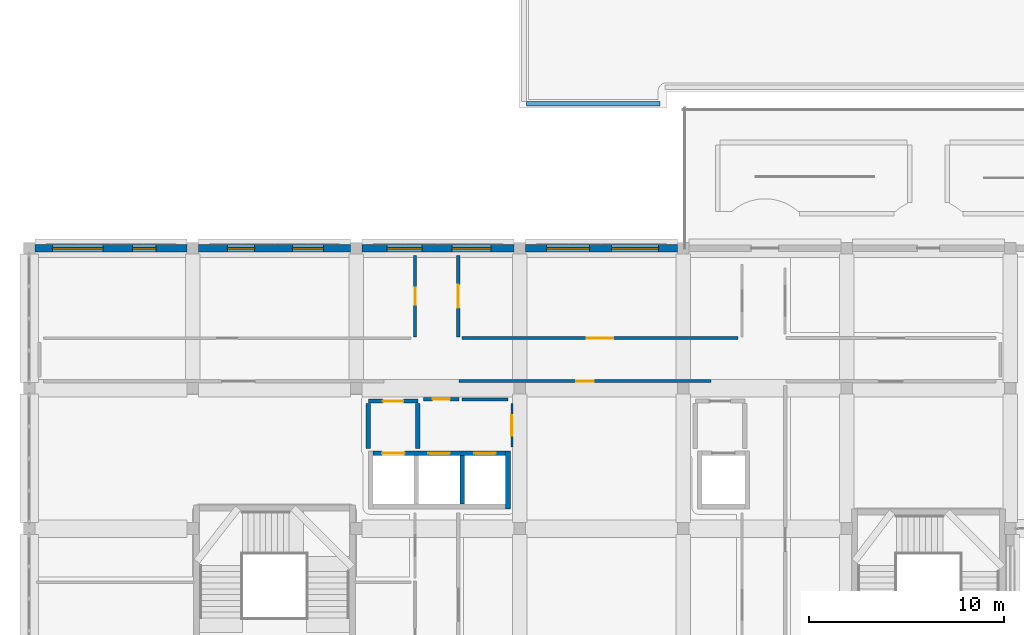
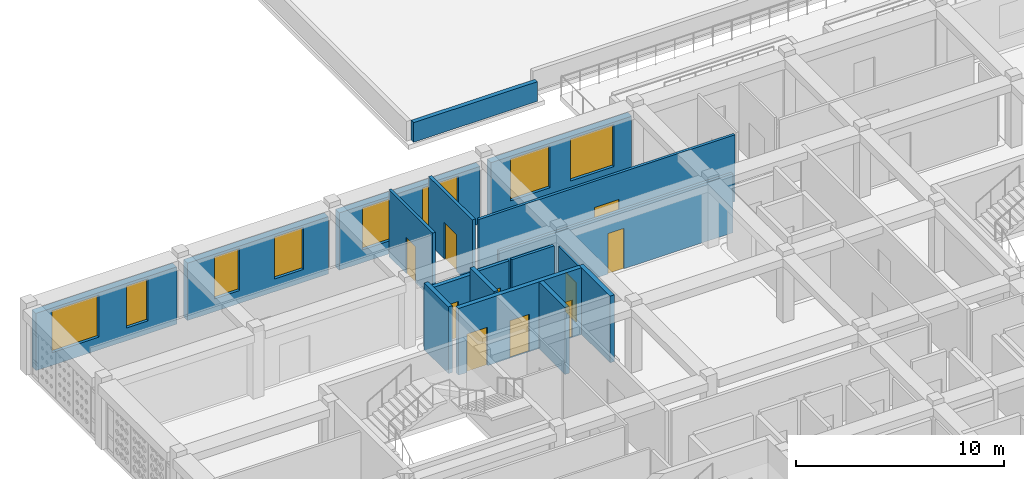
# One storey, part 31 of 48: 18 walls, 10 doors, 8 windows, 18 openings.
"""IFC4 building model written with IfcOpenShell, lengths in metres."""

import ifcopenshell
import ifcopenshell.guid

model = None  # the IFC model being written
_history = None  # IfcOwnerHistory: only IFC2X3 demands one
_inside = {}  # id of a spatial element -> (the spatial element, [elements in it])
_under = {}  # id of a project, library or spatial element -> (it, [spatial elements below it])
_declared = {}  # id of a project -> (the project, [libraries it declares])
_typed = {}  # id of a type object -> (the type object, [elements of that type])
_made_of = {}  # id of a material, layer set ... -> (it, [elements and type objects made of it])


def new_model(schema):
    """Start an empty IFC model of exactly this schema.

    Asked for "IFC4X3", IfcOpenShell would pick the latest addendum, in which some entities
    have other attributes; the version numbers below select the first issue.
    IFC2X3 requires an IfcOwnerHistory on every rooted entity: one is made here for all.
    """
    global model, _history
    if schema == "IFC4X3":
        model = ifcopenshell.file(schema_version=(4, 3, 0, 0))
    else:
        model = ifcopenshell.file(schema=schema)
    _inside.clear()
    _under.clear()
    _declared.clear()
    _typed.clear()
    _made_of.clear()
    _history = None
    if model.schema == "IFC2X3":
        org = make("IfcOrganization", Name="unknown")
        user = make(
            "IfcPersonAndOrganization",
            ThePerson=make("IfcPerson", FamilyName="unknown"),
            TheOrganization=org,
        )
        app = make(
            "IfcApplication",
            ApplicationDeveloper=org,
            Version="unknown",
            ApplicationFullName="unknown",
            ApplicationIdentifier="unknown",
        )
        _history = make(
            "IfcOwnerHistory",
            OwningUser=user,
            OwningApplication=app,
            ChangeAction="ADDED",
            CreationDate=0,
        )
    return model


def make(cls, **values):
    """One entity of the class cls with the attributes given. An attribute that is None is left unset."""
    return model.create_entity(
        cls, **{name: value for name, value in values.items() if value is not None}
    )


def rooted(cls, **values):
    """An entity with a GlobalId (a new one), such as an element, a storey or a relation."""
    return make(cls, GlobalId=ifcopenshell.guid.new(), OwnerHistory=_history, **values)


def si_unit(unit_type, name, prefix=None):
    """IfcSIUnit, for example si_unit("LENGTHUNIT", "METRE", prefix="MILLI")."""
    return make("IfcSIUnit", UnitType=unit_type, Prefix=prefix, Name=name)


def derived_unit(unit_type, elements):
    """IfcDerivedUnit: a product of units, each with its exponent."""
    return make(
        "IfcDerivedUnit",
        Elements=[
            make("IfcDerivedUnitElement", Unit=unit, Exponent=power)
            for unit, power in elements
        ],
        UnitType=unit_type,
    )


def assignment(units):
    """IfcUnitAssignment: the units of a project."""
    return None if units is None else make("IfcUnitAssignment", Units=units)


def point(xyz):
    """IfcCartesianPoint."""
    return None if xyz is None else make("IfcCartesianPoint", Coordinates=xyz)


def direction(xyz):
    """IfcDirection."""
    return None if xyz is None else make("IfcDirection", DirectionRatios=xyz)


def frame(location, z_axis=None, x_axis=None):
    """IfcAxis2Placement3D, a coordinate frame: its origin and axes. An axis left out is left unset."""
    return make(
        "IfcAxis2Placement3D",
        Location=point(location),
        Axis=direction(z_axis),
        RefDirection=direction(x_axis),
    )


def frame_2d(location, x_axis=None):
    """IfcAxis2Placement2D, a coordinate frame in the plane: its origin and x axis."""
    return make(
        "IfcAxis2Placement2D", Location=point(location), RefDirection=direction(x_axis)
    )


def origin():
    """The frame at (0, 0, 0) with its axes left unset."""
    return frame((0.0, 0.0, 0.0))


def place(relative_to, where):
    """IfcLocalPlacement: puts the frame where relative to a parent placement (None: the world)."""
    return make(
        "IfcLocalPlacement", PlacementRelTo=relative_to, RelativePlacement=where
    )


def context(
    kind, dimensions, precision=None, world=None, true_north=None, identifier=None
):
    """IfcGeometricRepresentationContext, for example the 3D "Model" context."""
    return make(
        "IfcGeometricRepresentationContext",
        ContextIdentifier=identifier,
        ContextType=kind,
        CoordinateSpaceDimension=dimensions,
        Precision=precision,
        WorldCoordinateSystem=world,
        TrueNorth=true_north,
    )


def subcontext(parent, identifier, kind, view, scale=None):
    """IfcGeometricRepresentationSubContext, for example "Body" below "Model"."""
    return make(
        "IfcGeometricRepresentationSubContext",
        ContextIdentifier=identifier,
        ContextType=kind,
        ParentContext=parent,
        TargetScale=scale,
        TargetView=view,
    )


def project(units=None, contexts=None):
    """IfcProject with its units and contexts."""
    return rooted(
        "IfcProject",
        Name="project",
        RepresentationContexts=contexts,
        UnitsInContext=assignment(units),
    )


def spatial(cls, under=None, at=None, **own):
    """A site, building, storey or space (cls), placed at a placement, below another one or the project."""
    s = rooted(cls, ObjectPlacement=at, **own)
    if under is not None:
        _under.setdefault(under.id(), (under, []))[1].append(s)
    return s


def profile(cls, at=None, kind="AREA", **sizes):
    """A parametric profile (cls). Its sizes go by their IFC names, for example OverallWidth=200.0."""
    return make(cls, ProfileType=kind, Position=at, **sizes)


def rectangle(**sizes):
    """IfcRectangleProfileDef."""
    return profile("IfcRectangleProfileDef", **sizes)


def extrude(swept, where, along, depth):
    """IfcExtrudedAreaSolid: the profile swept, set in the frame where, extruded along a direction by depth."""
    return make(
        "IfcExtrudedAreaSolid",
        SweptArea=swept,
        Position=where,
        ExtrudedDirection=direction(along),
        Depth=depth,
    )


def shape(context_of_items, identifier, shape_type, items):
    """IfcShapeRepresentation: the items that make up one representation, for example the "Body"."""
    return make(
        "IfcShapeRepresentation",
        ContextOfItems=context_of_items,
        RepresentationIdentifier=identifier,
        RepresentationType=shape_type,
        Items=items,
    )


def material(Name=None, Category=None):
    """IfcMaterial."""
    return make("IfcMaterial", Name=Name, Category=Category)


def layer(
    of_material, thickness, ventilated=None, Name=None, Category=None, Priority=None
):
    """IfcMaterialLayer: one layer of a wall or slab, of a material (None: an air gap)."""
    return make(
        "IfcMaterialLayer",
        Material=of_material,
        LayerThickness=thickness,
        IsVentilated=ventilated,
        Name=Name,
        Category=Category,
        Priority=Priority,
    )


def layer_set(layers, Name=None):
    """IfcMaterialLayerSet."""
    return make("IfcMaterialLayerSet", MaterialLayers=layers, LayerSetName=Name)


def made_of(thing, what):
    """Note that an element or type object is made of a material, layer set ...; save() writes the relation."""
    if what is not None:
        _made_of.setdefault(what.id(), (what, []))[1].append(thing)
    return thing


def type_object(cls, material=None, **own):
    """A type object (cls), such as IfcWallType, which elements share."""
    return made_of(rooted(cls, **own), material)


def element(
    cls,
    number,
    at=None,
    inside=None,
    cuts=None,
    type_object=None,
    material=None,
    context=None,
    identifier="Body",
    shape_type=None,
    held_by="IfcProductDefinitionShape",
    body=None,
    shapes=None,
    **own,
):
    """One element of the class cls, such as IfcWall. Its Tag is "e" and its number.

    at: its placement. inside: the storey or other place that contains it. cuts: it is an
    opening in that element (IfcRelVoidsElement). A single representation is given by context,
    identifier, shape_type and body (its items); several are given by shapes. held_by: the class
    of the entity that holds the representations. save() writes the other relations.
    """
    e = rooted(cls, Tag="e%d" % number, ObjectPlacement=at, **own)
    if body is not None:
        shapes = [shape(context, identifier, shape_type, body)]
    if shapes is not None:
        e.Representation = make(held_by, Representations=shapes)
    if inside is not None:
        _inside.setdefault(inside.id(), (inside, []))[1].append(e)
    if cuts is not None:
        rooted(
            "IfcRelVoidsElement", RelatingBuildingElement=cuts, RelatedOpeningElement=e
        )
    if type_object is not None:
        _typed.setdefault(type_object.id(), (type_object, []))[1].append(e)
    return made_of(e, material)


def fill(opening, filler):
    """IfcRelFillsElement: the door or window that sits in an opening."""
    return rooted(
        "IfcRelFillsElement",
        RelatingOpeningElement=opening,
        RelatedBuildingElement=filler,
    )


def aggregate(whole, parts):
    """IfcRelAggregates: a whole, such as a stair, and the parts it consists of."""
    return rooted("IfcRelAggregates", RelatingObject=whole, RelatedObjects=parts)


def save(model, path):
    """Write the relations noted so far, then the file.

    IfcRelAggregates (storeys below a building ...), IfcRelContainedInSpatialStructure (elements
    in a storey), IfcRelDefinesByType, IfcRelAssociatesMaterial and IfcRelDeclares: one each for
    every whole, place, type object, material and project.
    """
    for whole, parts in _under.values():
        aggregate(whole, parts)
    for where, things in _inside.values():
        rooted(
            "IfcRelContainedInSpatialStructure",
            RelatedElements=things,
            RelatingStructure=where,
        )
    for kind, things in _typed.values():
        rooted("IfcRelDefinesByType", RelatedObjects=things, RelatingType=kind)
    for what, things in _made_of.values():
        rooted("IfcRelAssociatesMaterial", RelatedObjects=things, RelatingMaterial=what)
    for by, libraries in _declared.values():
        rooted("IfcRelDeclares", RelatingContext=by, RelatedDefinitions=libraries)
    model.write(path)


model = new_model("IFC4")

# Units and contexts
model_context = context("Model", 3, precision=1e-05, world=origin(), true_north=direction((0.0, 1.0)))
body_context = subcontext(model_context, "Body", "Model", "MODEL_VIEW")
ifc_project = project(units=[si_unit("LENGTHUNIT", "METRE"), si_unit("AREAUNIT", "SQUARE_METRE"), si_unit("VOLUMEUNIT", "CUBIC_METRE"), si_unit("PLANEANGLEUNIT", "RADIAN"), si_unit("MASSUNIT", "GRAM", prefix="KILO"), derived_unit("THERMALTRANSMITTANCEUNIT", [(si_unit("POWERUNIT", "WATT"), 1), (si_unit("LENGTHUNIT", "METRE"), -2), (si_unit("THERMODYNAMICTEMPERATUREUNIT", "KELVIN"), -1)])], contexts=[model_context])

# Site, building, storey
site_placement = place(None, origin())
site = spatial("IfcSite", under=ifc_project, at=site_placement, CompositionType="ELEMENT")
building_placement = place(site_placement, origin())
building = spatial("IfcBuilding", under=site, at=building_placement, Name="Veybourne Emporium", CompositionType="ELEMENT")
storey_placement = place(building_placement, frame((0.0, 0.0, 27.89990234375)))
storey = spatial("IfcBuildingStorey", under=building, at=storey_placement, Name="L06", CompositionType="ELEMENT", Elevation=27.89990234375)

# Wall, openings, windows
ifc_material_1 = material(Name="Portland Limestone Ashlar", Category="masonry")
ifc_layer_1 = layer(ifc_material_1, 0.3798828125)
ifc_layer_set_1 = layer_set([ifc_layer_1], Name="Portland Limestone Ashlar")
wall_type_1 = type_object("IfcWallType", Name="ExtWall_EW-03", PredefinedType="SOLIDWALL", material=ifc_layer_set_1)
wall_1_placement = place(storey_placement, frame((0.300048828125, 50.39990234375, 0.0), z_axis=(0.0, 0.0, 1.0), x_axis=(1.0, 0.0, 0.0)))
wall_1 = element("IfcWall", 1, at=wall_1_placement, inside=storey, type_object=wall_type_1, Name="L06 Portland stone external wall 006", PredefinedType="SOLIDWALL", context=body_context, shape_type="SweptSolid", body=[
    extrude(rectangle(XDim=7.800048828125, YDim=0.3798828125, at=frame_2d((3.89990234375, 0.0))), origin(), (0.0, 0.0, 1.0), 3.360107421875),
])
opening_1_placement = place(wall_1_placement, frame((0.884033203125, 0.0, 0.75)))
opening_1 = element("IfcOpeningElement", 2, at=opening_1_placement, cuts=wall_1, Name="Opening W-40", PredefinedType="OPENING", context=body_context, shape_type="SweptSolid", body=[
    extrude(rectangle(XDim=2.60009765625, YDim=2.4599609375, at=frame_2d((1.300048828125, 1.22998046875))), frame((0.0, 0.2099609375, 0.0), z_axis=(0.0, -1.0, 0.0), x_axis=(1.0, 0.0, 0.0)), (0.0, 0.0, 1.0), 0.419921875),
])
opening_2_placement = place(wall_1_placement, frame((5.01611328125, 0.0, 0.75)))
opening_2 = element("IfcOpeningElement", 3, at=opening_2_placement, cuts=wall_1, Name="Opening W-41", PredefinedType="OPENING", context=body_context, shape_type="SweptSolid", body=[
    extrude(rectangle(XDim=1.199951171875, YDim=2.4599609375, at=frame_2d((0.60009765625, 1.22998046875))), frame((0.0, 0.2099609375, 0.0), z_axis=(0.0, -1.0, 0.0), x_axis=(1.0, 0.0, 0.0)), (0.0, 0.0, 1.0), 0.419921875),
])
ifc_material_2 = material(Name="Low-E Triple Glazing", Category="glass")
window_type_1 = type_object("IfcWindowType", Name="Win_W-40", PartitioningType="TRIPLE_PANEL_VERTICAL", PredefinedType="WINDOW", material=ifc_material_2)
window_1_placement = place(opening_1_placement, origin())
window_1 = element("IfcWindow", 4, at=window_1_placement, inside=storey, type_object=window_type_1, Name="L06 tripartite bronze casement window W-40 (6.1)", OverallHeight=2.4599609375, OverallWidth=2.60009765625, PartitioningType="TRIPLE_PANEL_VERTICAL", PredefinedType="WINDOW", context=body_context, shape_type="SweptSolid", body=[
    extrude(rectangle(XDim=2.60009765625, YDim=2.4599609375, at=frame_2d((1.300048828125, 1.22998046875))), frame((0.0, 0.030029296875, 0.0), z_axis=(0.0, -1.0, 0.0), x_axis=(1.0, 0.0, 0.0)), (0.0, 0.0, 1.0), 0.06005859375),
])
fill(opening_1, window_1)
window_type_2 = type_object("IfcWindowType", Name="Win_W-41", PartitioningType="SINGLE_PANEL", PredefinedType="WINDOW", material=ifc_material_2)
window_2_placement = place(opening_2_placement, origin())
window_2 = element("IfcWindow", 5, at=window_2_placement, inside=storey, type_object=window_type_2, Name="L06 tripartite bronze casement window W-41 (6.2)", OverallHeight=2.4599609375, OverallWidth=1.199951171875, PartitioningType="SINGLE_PANEL", PredefinedType="WINDOW", context=body_context, shape_type="SweptSolid", body=[
    extrude(rectangle(XDim=1.199951171875, YDim=2.4599609375, at=frame_2d((0.60009765625, 1.22998046875))), frame((0.0, 0.030029296875, 0.0), z_axis=(0.0, -1.0, 0.0), x_axis=(1.0, 0.0, 0.0)), (0.0, 0.0, 1.0), 0.06005859375),
])
fill(opening_2, window_2)

wall_2_placement = place(storey_placement, frame((8.699951171875, 50.39990234375, 0.0), z_axis=(0.0, 0.0, 1.0), x_axis=(1.0, 0.0, 0.0)))
wall_2 = element("IfcWall", 6, at=wall_2_placement, inside=storey, type_object=wall_type_1, Name="L06 Portland stone external wall 009", PredefinedType="SOLIDWALL", context=body_context, shape_type="SweptSolid", body=[
    extrude(rectangle(XDim=7.800048828125, YDim=0.3798828125, at=frame_2d((3.89990234375, 0.0))), origin(), (0.0, 0.0, 1.0), 3.360107421875),
])
opening_3_placement = place(wall_2_placement, frame((1.48388671875, 0.0, 0.75)))
opening_3 = element("IfcOpeningElement", 7, at=opening_3_placement, cuts=wall_2, Name="Opening W-42", PredefinedType="OPENING", context=body_context, shape_type="SweptSolid", body=[
    extrude(rectangle(XDim=1.39990234375, YDim=2.4599609375, at=frame_2d((0.699951171875, 1.22998046875))), frame((0.0, 0.2099609375, 0.0), z_axis=(0.0, -1.0, 0.0), x_axis=(1.0, 0.0, 0.0)), (0.0, 0.0, 1.0), 0.419921875),
])
opening_4_placement = place(wall_2_placement, frame((4.81591796875, 0.0, 0.75)))
opening_4 = element("IfcOpeningElement", 8, at=opening_4_placement, cuts=wall_2, Name="Opening W-43", PredefinedType="OPENING", context=body_context, shape_type="SweptSolid", body=[
    extrude(rectangle(XDim=1.60009765625, YDim=2.4599609375, at=frame_2d((0.800048828125, 1.22998046875))), frame((0.0, 0.2099609375, 0.0), z_axis=(0.0, -1.0, 0.0), x_axis=(1.0, 0.0, 0.0)), (0.0, 0.0, 1.0), 0.419921875),
])
window_type_3 = type_object("IfcWindowType", Name="Win_W-42", PartitioningType="DOUBLE_PANEL_VERTICAL", PredefinedType="WINDOW", material=ifc_material_2)
window_3_placement = place(opening_3_placement, origin())
window_3 = element("IfcWindow", 9, at=window_3_placement, inside=storey, type_object=window_type_3, Name="L06 tripartite bronze casement window W-42 (9.1)", OverallHeight=2.4599609375, OverallWidth=1.39990234375, PartitioningType="DOUBLE_PANEL_VERTICAL", PredefinedType="WINDOW", context=body_context, shape_type="SweptSolid", body=[
    extrude(rectangle(XDim=1.39990234375, YDim=2.4599609375, at=frame_2d((0.699951171875, 1.22998046875))), frame((0.0, 0.030029296875, 0.0), z_axis=(0.0, -1.0, 0.0), x_axis=(1.0, 0.0, 0.0)), (0.0, 0.0, 1.0), 0.06005859375),
])
fill(opening_3, window_3)
window_type_4 = type_object("IfcWindowType", Name="Win_W-43", PartitioningType="DOUBLE_PANEL_VERTICAL", PredefinedType="WINDOW", material=ifc_material_2)
window_4_placement = place(opening_4_placement, origin())
window_4 = element("IfcWindow", 10, at=window_4_placement, inside=storey, type_object=window_type_4, Name="L06 tripartite bronze casement window W-43 (9.2)", OverallHeight=2.4599609375, OverallWidth=1.60009765625, PartitioningType="DOUBLE_PANEL_VERTICAL", PredefinedType="WINDOW", context=body_context, shape_type="SweptSolid", body=[
    extrude(rectangle(XDim=1.60009765625, YDim=2.4599609375, at=frame_2d((0.800048828125, 1.22998046875))), frame((0.0, 0.030029296875, 0.0), z_axis=(0.0, -1.0, 0.0), x_axis=(1.0, 0.0, 0.0)), (0.0, 0.0, 1.0), 0.06005859375),
])
fill(opening_4, window_4)

wall_3_placement = place(storey_placement, frame((17.10009765625, 50.39990234375, 0.0), z_axis=(0.0, 0.0, 1.0), x_axis=(1.0, 0.0, 0.0)))
wall_3 = element("IfcWall", 11, at=wall_3_placement, inside=storey, type_object=wall_type_1, Name="L06 Portland stone external wall 012", PredefinedType="SOLIDWALL", context=body_context, shape_type="SweptSolid", body=[
    extrude(rectangle(XDim=7.7998046875, YDim=0.3798828125, at=frame_2d((3.89990234375, 0.0))), origin(), (0.0, 0.0, 1.0), 3.360107421875),
])
opening_5_placement = place(wall_3_placement, frame((1.283935546875, 0.0, 0.75)))
opening_5 = element("IfcOpeningElement", 12, at=opening_5_placement, cuts=wall_3, Name="Opening W-44", PredefinedType="OPENING", context=body_context, shape_type="SweptSolid", body=[
    extrude(rectangle(XDim=1.800048828125, YDim=2.4599609375, at=frame_2d((0.89990234375, 1.22998046875))), frame((0.0, 0.2099609375, 0.0), z_axis=(0.0, -1.0, 0.0), x_axis=(1.0, 0.0, 0.0)), (0.0, 0.0, 1.0), 0.419921875),
])
opening_6_placement = place(wall_3_placement, frame((4.615966796875, 0.0, 0.75)))
opening_6 = element("IfcOpeningElement", 13, at=opening_6_placement, cuts=wall_3, Name="Opening W-45", PredefinedType="OPENING", context=body_context, shape_type="SweptSolid", body=[
    extrude(rectangle(XDim=2.0, YDim=2.4599609375, at=frame_2d((1.0, 1.22998046875))), frame((0.0, 0.2099609375, 0.0), z_axis=(0.0, -1.0, 0.0), x_axis=(1.0, 0.0, 0.0)), (0.0, 0.0, 1.0), 0.419921875),
])
window_type_5 = type_object("IfcWindowType", Name="Win_W-44", PartitioningType="DOUBLE_PANEL_VERTICAL", PredefinedType="WINDOW", material=ifc_material_2)
window_5_placement = place(opening_5_placement, origin())
window_5 = element("IfcWindow", 14, at=window_5_placement, inside=storey, type_object=window_type_5, Name="L06 tripartite bronze casement window W-44 (12.1)", OverallHeight=2.4599609375, OverallWidth=1.800048828125, PartitioningType="DOUBLE_PANEL_VERTICAL", PredefinedType="WINDOW", context=body_context, shape_type="SweptSolid", body=[
    extrude(rectangle(XDim=1.800048828125, YDim=2.4599609375, at=frame_2d((0.89990234375, 1.22998046875))), frame((0.0, 0.030029296875, 0.0), z_axis=(0.0, -1.0, 0.0), x_axis=(1.0, 0.0, 0.0)), (0.0, 0.0, 1.0), 0.06005859375),
])
fill(opening_5, window_5)
window_type_6 = type_object("IfcWindowType", Name="Win_W-45", PartitioningType="TRIPLE_PANEL_VERTICAL", PredefinedType="WINDOW", material=ifc_material_2)
window_6_placement = place(opening_6_placement, origin())
window_6 = element("IfcWindow", 15, at=window_6_placement, inside=storey, type_object=window_type_6, Name="L06 tripartite bronze casement window W-45 (12.2)", OverallHeight=2.4599609375, OverallWidth=2.0, PartitioningType="TRIPLE_PANEL_VERTICAL", PredefinedType="WINDOW", context=body_context, shape_type="SweptSolid", body=[
    extrude(rectangle(XDim=2.0, YDim=2.4599609375, at=frame_2d((1.0, 1.22998046875))), frame((0.0, 0.030029296875, 0.0), z_axis=(0.0, -1.0, 0.0), x_axis=(1.0, 0.0, 0.0)), (0.0, 0.0, 1.0), 0.06005859375),
])
fill(opening_6, window_6)

wall_4_placement = place(storey_placement, frame((25.5, 50.39990234375, 0.0), z_axis=(0.0, 0.0, 1.0), x_axis=(1.0, 0.0, 0.0)))
wall_4 = element("IfcWall", 16, at=wall_4_placement, inside=storey, type_object=wall_type_1, Name="L06 Portland stone external wall 014", PredefinedType="SOLIDWALL", context=body_context, shape_type="SweptSolid", body=[
    extrude(rectangle(XDim=7.800048828125, YDim=0.3798828125, at=frame_2d((3.89990234375, 0.0))), origin(), (0.0, 0.0, 1.0), 3.360107421875),
])
opening_7_placement = place(wall_4_placement, frame((1.083984375, 0.0, 0.75)))
opening_7 = element("IfcOpeningElement", 17, at=opening_7_placement, cuts=wall_4, Name="Opening W-46", PredefinedType="OPENING", context=body_context, shape_type="SweptSolid", body=[
    extrude(rectangle(XDim=2.199951171875, YDim=2.4599609375, at=frame_2d((1.10009765625, 1.22998046875))), frame((0.0, 0.2099609375, 0.0), z_axis=(0.0, -1.0, 0.0), x_axis=(1.0, 0.0, 0.0)), (0.0, 0.0, 1.0), 0.419921875),
])
opening_8_placement = place(wall_4_placement, frame((4.416015625, 0.0, 0.75)))
opening_8 = element("IfcOpeningElement", 18, at=opening_8_placement, cuts=wall_4, Name="Opening W-47", PredefinedType="OPENING", context=body_context, shape_type="SweptSolid", body=[
    extrude(rectangle(XDim=2.39990234375, YDim=2.4599609375, at=frame_2d((1.199951171875, 1.22998046875))), frame((0.0, 0.2099609375, 0.0), z_axis=(0.0, -1.0, 0.0), x_axis=(1.0, 0.0, 0.0)), (0.0, 0.0, 1.0), 0.419921875),
])
window_type_7 = type_object("IfcWindowType", Name="Win_W-46", PartitioningType="TRIPLE_PANEL_VERTICAL", PredefinedType="WINDOW", material=ifc_material_2)
window_7_placement = place(opening_7_placement, origin())
window_7 = element("IfcWindow", 19, at=window_7_placement, inside=storey, type_object=window_type_7, Name="L06 tripartite bronze casement window W-46 (14.1)", OverallHeight=2.4599609375, OverallWidth=2.199951171875, PartitioningType="TRIPLE_PANEL_VERTICAL", PredefinedType="WINDOW", context=body_context, shape_type="SweptSolid", body=[
    extrude(rectangle(XDim=2.199951171875, YDim=2.4599609375, at=frame_2d((1.10009765625, 1.22998046875))), frame((0.0, 0.030029296875, 0.0), z_axis=(0.0, -1.0, 0.0), x_axis=(1.0, 0.0, 0.0)), (0.0, 0.0, 1.0), 0.06005859375),
])
fill(opening_7, window_7)
window_type_8 = type_object("IfcWindowType", Name="Win_W-47", PartitioningType="TRIPLE_PANEL_VERTICAL", PredefinedType="WINDOW", material=ifc_material_2)
window_8_placement = place(opening_8_placement, origin())
window_8 = element("IfcWindow", 20, at=window_8_placement, inside=storey, type_object=window_type_8, Name="L06 tripartite bronze casement window W-47 (14.2)", OverallHeight=2.4599609375, OverallWidth=2.39990234375, PartitioningType="TRIPLE_PANEL_VERTICAL", PredefinedType="WINDOW", context=body_context, shape_type="SweptSolid", body=[
    extrude(rectangle(XDim=2.39990234375, YDim=2.4599609375, at=frame_2d((1.199951171875, 1.22998046875))), frame((0.0, 0.030029296875, 0.0), z_axis=(0.0, -1.0, 0.0), x_axis=(1.0, 0.0, 0.0)), (0.0, 0.0, 1.0), 0.06005859375),
])
fill(opening_8, window_8)

# Wall
ifc_material_3 = material(Name="Precast concrete C40/50", Category="concrete")
ifc_layer_2 = layer(ifc_material_3, 0.239990234375)
ifc_layer_set_2 = layer_set([ifc_layer_2], Name="Precast concrete C40/50")
wall_type_2 = type_object("IfcWallType", Name="ExtWall_PW-02", PredefinedType="PARAPET", material=ifc_layer_set_2)
wall_5_placement = place(storey_placement, frame((32.39990234375, 57.820068359375, 0.0), z_axis=(0.0, 0.0, 1.0), x_axis=(-1.0, 0.0, 0.0)))
element("IfcWall", 21, at=wall_5_placement, inside=storey, type_object=wall_type_2, Name="L06 roof parapet wall 013", PredefinedType="PARAPET", context=body_context, shape_type="SweptSolid", body=[
    extrude(rectangle(XDim=6.849853515625, YDim=0.239990234375, at=frame_2d((3.4248046875, 0.0))), origin(), (0.0, 0.0, 1.0), 1.150146484375),
])

# Wall, openings, doors
ifc_material_4 = material(Name="Concrete C40/50", Category="concrete")
ifc_layer_3 = layer(ifc_material_4, 0.239990234375)
ifc_layer_set_3 = layer_set([ifc_layer_3], Name="Concrete C40/50")
wall_type_3 = type_object("IfcWallType", Name="IntWall_CW-04", PredefinedType="SHEAR", material=ifc_layer_set_3)
wall_6_placement = place(storey_placement, frame((24.47998046875, 39.8701171875, 0.0), z_axis=(0.0, 0.0, 1.0), x_axis=(-1.0, 0.0, 0.0)))
wall_6 = element("IfcWall", 22, at=wall_6_placement, inside=storey, type_object=wall_type_3, Name="Lift core C2 north shaft wall (L06)", PredefinedType="SHEAR", context=body_context, shape_type="SweptSolid", body=[
    extrude(rectangle(XDim=6.820068359375, YDim=0.239990234375, at=frame_2d((3.41015625, 0.0))), origin(), (0.0, 0.0, 1.0), 3.91015625),
])
opening_9_placement = place(wall_6_placement, frame((5.195068359375, 0.0, 0.0)))
opening_9 = element("IfcOpeningElement", 23, at=opening_9_placement, cuts=wall_6, Name="Opening LD-02", PredefinedType="OPENING", context=body_context, shape_type="SweptSolid", body=[
    extrude(rectangle(XDim=1.14990234375, YDim=2.25, at=frame_2d((0.574951171875, 1.125))), frame((0.0, 0.14013671875, 0.0), z_axis=(0.0, -1.0, 0.0), x_axis=(1.0, 0.0, 0.0)), (0.0, 0.0, 1.0), 0.280029296875),
])
opening_10_placement = place(wall_6_placement, frame((2.8701171875, 0.0, 0.0)))
opening_10 = element("IfcOpeningElement", 24, at=opening_10_placement, cuts=wall_6, Name="Opening LD-01", PredefinedType="OPENING", context=body_context, shape_type="SweptSolid", body=[
    extrude(rectangle(XDim=1.10009765625, YDim=2.199951171875, at=frame_2d((0.550048828125, 1.10009765625))), frame((0.0, 0.14013671875, 0.0), z_axis=(0.0, -1.0, 0.0), x_axis=(1.0, 0.0, 0.0)), (0.0, 0.0, 1.0), 0.280029296875),
])
opening_11_placement = place(wall_6_placement, frame((0.510009765625, 0.0, 0.0)))
opening_11 = element("IfcOpeningElement", 25, at=opening_11_placement, cuts=wall_6, Name="Opening LD-01", PredefinedType="OPENING", context=body_context, shape_type="SweptSolid", body=[
    extrude(rectangle(XDim=1.10009765625, YDim=2.199951171875, at=frame_2d((0.550048828125, 1.10009765625))), frame((0.0, 0.14013671875, 0.0), z_axis=(0.0, -1.0, 0.0), x_axis=(1.0, 0.0, 0.0)), (0.0, 0.0, 1.0), 0.280029296875),
])
ifc_material_5 = material(Name="Patinated Architectural Bronze", Category="bronze")
door_type_1 = type_object("IfcDoorType", Name="FireDoor_LD-01", OperationType="DOUBLE_DOOR_SLIDING", PredefinedType="DOOR", material=ifc_material_5)
door_1_placement = place(opening_10_placement, origin())
door_1 = element("IfcDoor", 26, at=door_1_placement, inside=storey, type_object=door_type_1, Name="Lift PL-03 sliding landing door (L06)", OperationType="DOUBLE_DOOR_SLIDING", OverallHeight=2.199951171875, OverallWidth=1.10009765625, PredefinedType="DOOR", context=body_context, shape_type="SweptSolid", body=[
    extrude(rectangle(XDim=1.10009765625, YDim=2.199951171875, at=frame_2d((0.550048828125, 1.10009765625))), frame((0.0, 0.02490234375, 0.0), z_axis=(0.0, -1.0, 0.0), x_axis=(1.0, 0.0, 0.0)), (0.0, 0.0, 1.0), 0.050048828125),
])
fill(opening_10, door_1)
door_2_placement = place(opening_11_placement, origin())
door_2 = element("IfcDoor", 27, at=door_2_placement, inside=storey, type_object=door_type_1, Name="Lift PL-04 sliding landing door (L06)", OperationType="DOUBLE_DOOR_SLIDING", OverallHeight=2.199951171875, OverallWidth=1.10009765625, PredefinedType="DOOR", context=body_context, shape_type="SweptSolid", body=[
    extrude(rectangle(XDim=1.10009765625, YDim=2.199951171875, at=frame_2d((0.550048828125, 1.10009765625))), frame((0.0, 0.02490234375, 0.0), z_axis=(0.0, -1.0, 0.0), x_axis=(1.0, 0.0, 0.0)), (0.0, 0.0, 1.0), 0.050048828125),
])
fill(opening_11, door_2)
door_type_2 = type_object("IfcDoorType", Name="FireDoor_LD-02", OperationType="SLIDING_TO_LEFT", PredefinedType="DOOR", material=ifc_material_5)
door_3_placement = place(opening_9_placement, origin())
door_3 = element("IfcDoor", 28, at=door_3_placement, inside=storey, type_object=door_type_2, Name="Lift FFL-02 sliding landing door (L06)", OperationType="SLIDING_TO_LEFT", OverallHeight=2.25, OverallWidth=1.14990234375, PredefinedType="DOOR", context=body_context, shape_type="SweptSolid", body=[
    extrude(rectangle(XDim=1.14990234375, YDim=2.25, at=frame_2d((0.574951171875, 1.125))), frame((0.0, 0.02490234375, 0.0), z_axis=(0.0, -1.0, 0.0), x_axis=(1.0, 0.0, 0.0)), (0.0, 0.0, 1.0), 0.050048828125),
])
fill(opening_9, door_3)

# Walls
wall_7_placement = place(storey_placement, frame((24.60009765625, 37.010009765625, 0.0), z_axis=(0.0, 0.0, 1.0), x_axis=(0.0, 1.0, 0.0)))
element("IfcWall", 29, at=wall_7_placement, inside=storey, type_object=wall_type_3, Name="Lift core C2 east shaft wall (L06)", PredefinedType="SHEAR", context=body_context, shape_type="SweptSolid", body=[
    extrude(rectangle(XDim=2.97998046875, YDim=0.239990234375, at=frame_2d((1.489990234375, 0.0))), origin(), (0.0, 0.0, 1.0), 3.91015625),
])
wall_8_placement = place(storey_placement, frame((22.239990234375, 37.25, 0.0), z_axis=(0.0, 0.0, 1.0), x_axis=(0.0, 1.0, 0.0)))
element("IfcWall", 30, at=wall_8_placement, inside=storey, type_object=wall_type_3, Name="Lift core C2 divider wall 2 (L06)", PredefinedType="SHEAR", context=body_context, shape_type="SweptSolid", body=[
    extrude(rectangle(XDim=2.5, YDim=0.239990234375, at=frame_2d((1.25, 0.0))), origin(), (0.0, 0.0, 1.0), 3.91015625),
])

# Wall, opening, door
ifc_material_6 = material(Name="Concrete C32/40", Category="concrete")
ifc_layer_4 = layer(ifc_material_6, 0.219970703125)
ifc_layer_set_4 = layer_set([ifc_layer_4], Name="Concrete C32/40")
wall_type_4 = type_object("IfcWallType", Name="IntWall_FW-02", PredefinedType="SOLIDWALL", material=ifc_layer_set_4)
wall_9_placement = place(storey_placement, frame((17.419921875, 42.550048828125, 0.0), z_axis=(0.0, 0.0, 1.0), x_axis=(1.0, 0.0, 0.0)))
wall_9 = element("IfcWall", 31, at=wall_9_placement, inside=storey, type_object=wall_type_4, Name="Firefighting lobby C2 fire wall N (L06)", PredefinedType="SOLIDWALL", context=body_context, shape_type="SweptSolid", body=[
    extrude(rectangle(XDim=2.5400390625, YDim=0.219970703125, at=frame_2d((1.27001953125, 0.0))), origin(), (0.0, 0.0, 1.0), 3.460205078125),
])
opening_12_placement = place(wall_9_placement, frame((0.7451171875, 0.0, 0.0)))
opening_12 = element("IfcOpeningElement", 32, at=opening_12_placement, cuts=wall_9, Name="Opening FD-02", PredefinedType="OPENING", context=body_context, shape_type="SweptSolid", body=[
    extrude(rectangle(XDim=1.050048828125, YDim=2.14990234375, at=frame_2d((0.52490234375, 1.074951171875))), frame((0.0, 0.1298828125, 0.0), z_axis=(0.0, -1.0, 0.0), x_axis=(1.0, 0.0, 0.0)), (0.0, 0.0, 1.0), 0.260009765625),
])
door_type_3 = type_object("IfcDoorType", Name="FireDoor_FD-02", OperationType="NOTDEFINED", PredefinedType="DOOR", material=ifc_material_5)
door_4_placement = place(opening_12_placement, origin())
door_4 = element("IfcDoor", 33, at=door_4_placement, inside=storey, type_object=door_type_3, Name="Firefighting lobby C2 FD60S door N (L06)", OperationType="SINGLE_SWING_RIGHT", OverallHeight=2.14990234375, OverallWidth=1.050048828125, PredefinedType="DOOR", context=body_context, shape_type="SweptSolid", body=[
    extrude(rectangle(XDim=1.050048828125, YDim=2.14990234375, at=frame_2d((0.52490234375, 1.074951171875))), frame((0.0, 0.02490234375, 0.0), z_axis=(0.0, -1.0, 0.0), x_axis=(1.0, 0.0, 0.0)), (0.0, 0.0, 1.0), 0.050048828125),
])
fill(opening_12, door_4)

# Walls
for number, where, z_axis, x_axis, name in (
    (34, (17.419921875, 40.110107421875, 0.0), (0.0, 0.0, 1.0), (0.0, 1.0, 0.0), "Firefighting lobby C2 fire wall W (L06)"),
    (35, (19.9599609375, 40.110107421875, 0.0), (0.0, 0.0, 1.0), (0.0, 1.0, 0.0), "Firefighting lobby C2 fire wall E (L06)"),
):
    element("IfcWall", number, at=place(storey_placement, frame(where, z_axis=z_axis, x_axis=x_axis)), inside=storey, type_object=wall_type_4, Name=name, PredefinedType="SOLIDWALL", context=body_context, shape_type="SweptSolid", body=[
        extrude(rectangle(XDim=2.31982421875, YDim=0.219970703125, at=frame_2d((1.159912109375, 0.0))), origin(), (0.0, 0.0, 1.0), 3.91015625),
    ])

# Wall, opening, door
ifc_material_7 = material(Name="Gypsum Acoustic Board", Category="gypsum")
ifc_layer_5 = layer(ifc_material_7, 0.179931640625)
ifc_layer_set_5 = layer_set([ifc_layer_5], Name="Gypsum Acoustic Board")
wall_type_5 = type_object("IfcWallType", Name="IntWall_IW-01", PredefinedType="PARTITIONING", material=ifc_layer_set_5)
wall_10_placement = place(storey_placement, frame((22.030029296875, 45.830078125, 0.0), z_axis=(0.0, 0.0, 1.0), x_axis=(0.0, 1.0, 0.0)))
wall_10 = element("IfcWall", 36, at=wall_10_placement, inside=storey, type_object=wall_type_5, Name="L06 interior partition IW-01 #029", PredefinedType="PARTITIONING", context=body_context, shape_type="SweptSolid", body=[
    extrude(rectangle(XDim=4.199951171875, YDim=0.179931640625, at=frame_2d((2.10009765625, 0.0))), origin(), (0.0, 0.0, 1.0), 3.91015625),
])
opening_13_placement = place(wall_10_placement, frame((1.5, 0.0, 0.0)))
opening_13 = element("IfcOpeningElement", 37, at=opening_13_placement, cuts=wall_10, Name="Opening D-09", PredefinedType="OPENING", context=body_context, shape_type="SweptSolid", body=[
    extrude(rectangle(XDim=1.199951171875, YDim=2.1298828125, at=frame_2d((0.60009765625, 1.06494140625))), frame((0.0, 0.10986328125, 0.0), z_axis=(0.0, -1.0, 0.0), x_axis=(1.0, 0.0, 0.0)), (0.0, 0.0, 1.0), 0.219970703125),
])
ifc_material_8 = material(Name="European Oak Veneer and Bronze", Category="wood")
door_type_4 = type_object("IfcDoorType", Name="IntDoor_D-09", OperationType="NOTDEFINED", PredefinedType="DOOR", material=ifc_material_8)
door_5_placement = place(opening_13_placement, origin())
door_5 = element("IfcDoor", 38, at=door_5_placement, inside=storey, type_object=door_type_4, Name="L06 interior door D-09 (PART-L06-029)", OperationType="SINGLE_SWING_RIGHT", OverallHeight=2.1298828125, OverallWidth=1.199951171875, PredefinedType="DOOR", context=body_context, shape_type="SweptSolid", body=[
    extrude(rectangle(XDim=1.199951171875, YDim=2.1298828125, at=frame_2d((0.60009765625, 1.06494140625))), frame((0.0, 0.02490234375, 0.0), z_axis=(0.0, -1.0, 0.0), x_axis=(1.0, 0.0, 0.0)), (0.0, 0.0, 1.0), 0.050048828125),
])
fill(opening_13, door_5)

wall_11_placement = place(storey_placement, frame((20.25, 42.6298828125, 0.0), z_axis=(0.0, 0.0, 1.0), x_axis=(1.0, 0.0, 0.0)))
wall_11 = element("IfcWall", 39, at=wall_11_placement, inside=storey, type_object=wall_type_5, Name="L06 interior partition IW-01 #050", PredefinedType="PARTITIONING", context=body_context, shape_type="SweptSolid", body=[
    extrude(rectangle(XDim=1.830078125, YDim=0.179931640625, at=frame_2d((0.9150390625, 0.0))), origin(), (0.0, 0.0, 1.0), 3.460205078125),
])
opening_14_placement = place(wall_11_placement, frame((0.47509765625, 0.0, 0.0)))
opening_14 = element("IfcOpeningElement", 40, at=opening_14_placement, cuts=wall_11, Name="Opening D-01", PredefinedType="OPENING", context=body_context, shape_type="SweptSolid", body=[
    extrude(rectangle(XDim=0.8798828125, YDim=2.050048828125, at=frame_2d((0.43994140625, 1.02490234375))), frame((0.0, 0.10986328125, 0.0), z_axis=(0.0, -1.0, 0.0), x_axis=(1.0, 0.0, 0.0)), (0.0, 0.0, 1.0), 0.219970703125),
])
door_type_5 = type_object("IfcDoorType", Name="IntDoor_D-01", OperationType="NOTDEFINED", PredefinedType="DOOR", material=ifc_material_8)
door_6_placement = place(opening_14_placement, origin())
door_6 = element("IfcDoor", 41, at=door_6_placement, inside=storey, type_object=door_type_5, Name="L06 interior door D-01 (PART-L06-050)", OperationType="SINGLE_SWING_LEFT", OverallHeight=2.050048828125, OverallWidth=0.8798828125, PredefinedType="DOOR", context=body_context, shape_type="SweptSolid", body=[
    extrude(rectangle(XDim=0.8798828125, YDim=2.050048828125, at=frame_2d((0.43994140625, 1.02490234375))), frame((0.0, 0.02490234375, 0.0), z_axis=(0.0, -1.0, 0.0), x_axis=(1.0, 0.0, 0.0)), (0.0, 0.0, 1.0), 0.050048828125),
])
fill(opening_14, door_6)

ifc_layer_6 = layer(ifc_material_7, 0.14990234375)
ifc_layer_set_6 = layer_set([ifc_layer_6], Name="Gypsum Acoustic Board")
wall_type_6 = type_object("IfcWallType", Name="IntWall_IW-02", PredefinedType="PARTITIONING", material=ifc_layer_set_6)
wall_12_placement = place(storey_placement, frame((22.080078125, 43.570068359375, 0.0), z_axis=(0.0, 0.0, 1.0), x_axis=(1.0, 0.0, 0.0)))
wall_12 = element("IfcWall", 42, at=wall_12_placement, inside=storey, type_object=wall_type_6, Name="L06 interior partition IW-02 #009", PredefinedType="PARTITIONING", context=body_context, shape_type="SweptSolid", body=[
    extrude(rectangle(XDim=12.9501953125, YDim=0.14990234375, at=frame_2d((6.47509765625, 0.0))), origin(), (0.0, 0.0, 1.0), 3.460205078125),
])
opening_15_placement = place(wall_12_placement, frame((6.03515625, 0.0, 0.0)))
opening_15 = element("IfcOpeningElement", 43, at=opening_15_placement, cuts=wall_12, Name="Opening D-25", PredefinedType="OPENING", context=body_context, shape_type="SweptSolid", body=[
    extrude(rectangle(XDim=0.8798828125, YDim=2.3701171875, at=frame_2d((0.43994140625, 1.18505859375))), frame((0.0, 0.094970703125, 0.0), z_axis=(0.0, -1.0, 0.0), x_axis=(1.0, 0.0, 0.0)), (0.0, 0.0, 1.0), 0.18994140625),
])
door_type_6 = type_object("IfcDoorType", Name="IntDoor_D-25", OperationType="NOTDEFINED", PredefinedType="DOOR", material=ifc_material_8)
door_7_placement = place(opening_15_placement, origin())
door_7 = element("IfcDoor", 44, at=door_7_placement, inside=storey, type_object=door_type_6, Name="L06 interior door D-25 (PART-L06-009)", OperationType="SINGLE_SWING_RIGHT", OverallHeight=2.3701171875, OverallWidth=0.8798828125, PredefinedType="DOOR", context=body_context, shape_type="SweptSolid", body=[
    extrude(rectangle(XDim=0.8798828125, YDim=2.3701171875, at=frame_2d((0.43994140625, 1.18505859375))), frame((0.0, 0.02490234375, 0.0), z_axis=(0.0, -1.0, 0.0), x_axis=(1.0, 0.0, 0.0)), (0.0, 0.0, 1.0), 0.050048828125),
])
fill(opening_15, door_7)

wall_13_placement = place(storey_placement, frame((22.239990234375, 45.780029296875, 0.0), z_axis=(0.0, 0.0, 1.0), x_axis=(1.0, 0.0, 0.0)))
wall_13 = element("IfcWall", 45, at=wall_13_placement, inside=storey, type_object=wall_type_6, Name="L06 interior partition IW-02 #012", PredefinedType="PARTITIONING", context=body_context, shape_type="SweptSolid", body=[
    extrude(rectangle(XDim=14.169921875, YDim=0.14990234375, at=frame_2d((7.0849609375, 0.0))), origin(), (0.0, 0.0, 1.0), 3.91015625),
])
opening_16_placement = place(wall_13_placement, frame((6.405029296875, 0.0, 0.0)))
opening_16 = element("IfcOpeningElement", 46, at=opening_16_placement, cuts=wall_13, Name="Opening D-28", PredefinedType="OPENING", context=body_context, shape_type="SweptSolid", body=[
    extrude(rectangle(XDim=1.360107421875, YDim=2.3701171875, at=frame_2d((0.68017578125, 1.18505859375))), frame((0.0, 0.094970703125, 0.0), z_axis=(0.0, -1.0, 0.0), x_axis=(1.0, 0.0, 0.0)), (0.0, 0.0, 1.0), 0.18994140625),
])
door_type_7 = type_object("IfcDoorType", Name="IntDoor_D-28", OperationType="NOTDEFINED", PredefinedType="DOOR", material=ifc_material_8)
door_8_placement = place(opening_16_placement, origin())
door_8 = element("IfcDoor", 47, at=door_8_placement, inside=storey, type_object=door_type_7, Name="L06 interior door D-28 (PART-L06-012)", OperationType="SINGLE_SWING_LEFT", OverallHeight=2.3701171875, OverallWidth=1.360107421875, PredefinedType="DOOR", context=body_context, shape_type="SweptSolid", body=[
    extrude(rectangle(XDim=1.360107421875, YDim=2.3701171875, at=frame_2d((0.68017578125, 1.18505859375))), frame((0.0, 0.02490234375, 0.0), z_axis=(0.0, -1.0, 0.0), x_axis=(1.0, 0.0, 0.0)), (0.0, 0.0, 1.0), 0.050048828125),
])
fill(opening_16, door_8)

wall_14_placement = place(storey_placement, frame((19.820068359375, 45.830078125, 0.0), z_axis=(0.0, 0.0, 1.0), x_axis=(0.0, 1.0, 0.0)))
wall_14 = element("IfcWall", 48, at=wall_14_placement, inside=storey, type_object=wall_type_6, Name="L06 interior partition IW-02 #027", PredefinedType="PARTITIONING", context=body_context, shape_type="SweptSolid", body=[
    extrude(rectangle(XDim=4.199951171875, YDim=0.14990234375, at=frame_2d((2.10009765625, 0.0))), origin(), (0.0, 0.0, 1.0), 3.91015625),
])
opening_17_placement = place(wall_14_placement, frame((1.659912109375, 0.0, 0.0)))
opening_17 = element("IfcOpeningElement", 49, at=opening_17_placement, cuts=wall_14, Name="Opening D-07", PredefinedType="OPENING", context=body_context, shape_type="SweptSolid", body=[
    extrude(rectangle(XDim=0.8798828125, YDim=2.1298828125, at=frame_2d((0.43994140625, 1.06494140625))), frame((0.0, 0.094970703125, 0.0), z_axis=(0.0, -1.0, 0.0), x_axis=(1.0, 0.0, 0.0)), (0.0, 0.0, 1.0), 0.18994140625),
])
door_type_8 = type_object("IfcDoorType", Name="IntDoor_D-07", OperationType="NOTDEFINED", PredefinedType="DOOR", material=ifc_material_8)
door_9_placement = place(opening_17_placement, origin())
door_9 = element("IfcDoor", 50, at=door_9_placement, inside=storey, type_object=door_type_8, Name="L06 interior door D-07 (PART-L06-027)", OperationType="SINGLE_SWING_RIGHT", OverallHeight=2.1298828125, OverallWidth=0.8798828125, PredefinedType="DOOR", context=body_context, shape_type="SweptSolid", body=[
    extrude(rectangle(XDim=0.8798828125, YDim=2.1298828125, at=frame_2d((0.43994140625, 1.06494140625))), frame((0.0, 0.02490234375, 0.0), z_axis=(0.0, -1.0, 0.0), x_axis=(1.0, 0.0, 0.0)), (0.0, 0.0, 1.0), 0.050048828125),
])
fill(opening_17, door_9)

# Wall
wall_15_placement = place(storey_placement, frame((22.239990234375, 42.6298828125, 0.0), z_axis=(0.0, 0.0, 1.0), x_axis=(1.0, 0.0, 0.0)))
element("IfcWall", 51, at=wall_15_placement, inside=storey, type_object=wall_type_6, Name="L06 interior partition IW-02 #039", PredefinedType="PARTITIONING", context=body_context, shape_type="SweptSolid", body=[
    extrude(rectangle(XDim=2.35009765625, YDim=0.14990234375, at=frame_2d((1.175048828125, 0.0))), origin(), (0.0, 0.0, 1.0), 3.460205078125),
])

# Wall, opening, door
ifc_layer_7 = layer(ifc_material_7, 0.1201171875)
ifc_layer_set_7 = layer_set([ifc_layer_7], Name="Gypsum Acoustic Board")
wall_type_7 = type_object("IfcWallType", Name="IntWall_IW-03", PredefinedType="PARTITIONING", material=ifc_layer_set_7)
wall_16_placement = place(storey_placement, frame((24.800048828125, 40.177978515625, 0.0), z_axis=(0.0, 0.0, 1.0), x_axis=(0.0, 1.0, 0.0)))
wall_16 = element("IfcWall", 52, at=wall_16_placement, inside=storey, type_object=wall_type_7, Name="L06 interior partition IW-03 #040", PredefinedType="PARTITIONING", context=body_context, shape_type="SweptSolid", body=[
    extrude(rectangle(XDim=2.241943359375, YDim=0.1201171875, at=frame_2d((1.12109375, 0.0))), origin(), (0.0, 0.0, 1.0), 3.460205078125),
])
opening_18_placement = place(wall_16_placement, frame((0.60107421875, 0.0, 0.0)))
opening_18 = element("IfcOpeningElement", 53, at=opening_18_placement, cuts=wall_16, Name="Opening D-20", PredefinedType="OPENING", context=body_context, shape_type="SweptSolid", body=[
    extrude(rectangle(XDim=1.0400390625, YDim=2.2900390625, at=frame_2d((0.52001953125, 1.14501953125))), frame((0.0, 0.080078125, 0.0), z_axis=(0.0, -1.0, 0.0), x_axis=(1.0, 0.0, 0.0)), (0.0, 0.0, 1.0), 0.16015625),
])
door_type_9 = type_object("IfcDoorType", Name="IntDoor_D-20", OperationType="NOTDEFINED", PredefinedType="DOOR", material=ifc_material_8)
door_10_placement = place(opening_18_placement, origin())
door_10 = element("IfcDoor", 54, at=door_10_placement, inside=storey, type_object=door_type_9, Name="L06 interior door D-20 (PART-L06-040)", OperationType="SINGLE_SWING_RIGHT", OverallHeight=2.2900390625, OverallWidth=1.0400390625, PredefinedType="DOOR", context=body_context, shape_type="SweptSolid", body=[
    extrude(rectangle(XDim=1.0400390625, YDim=2.2900390625, at=frame_2d((0.52001953125, 1.14501953125))), frame((0.0, 0.02490234375, 0.0), z_axis=(0.0, -1.0, 0.0), x_axis=(1.0, 0.0, 0.0)), (0.0, 0.0, 1.0), 0.050048828125),
])
fill(opening_18, door_10)

save(model, "model.ifc")
